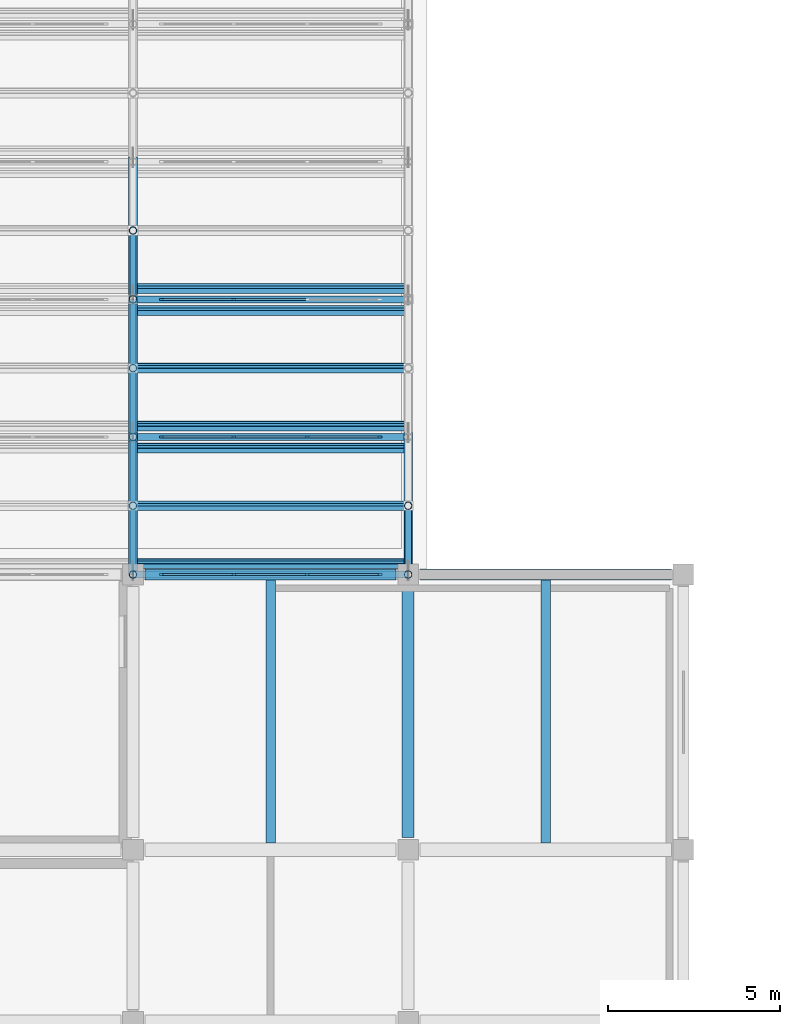
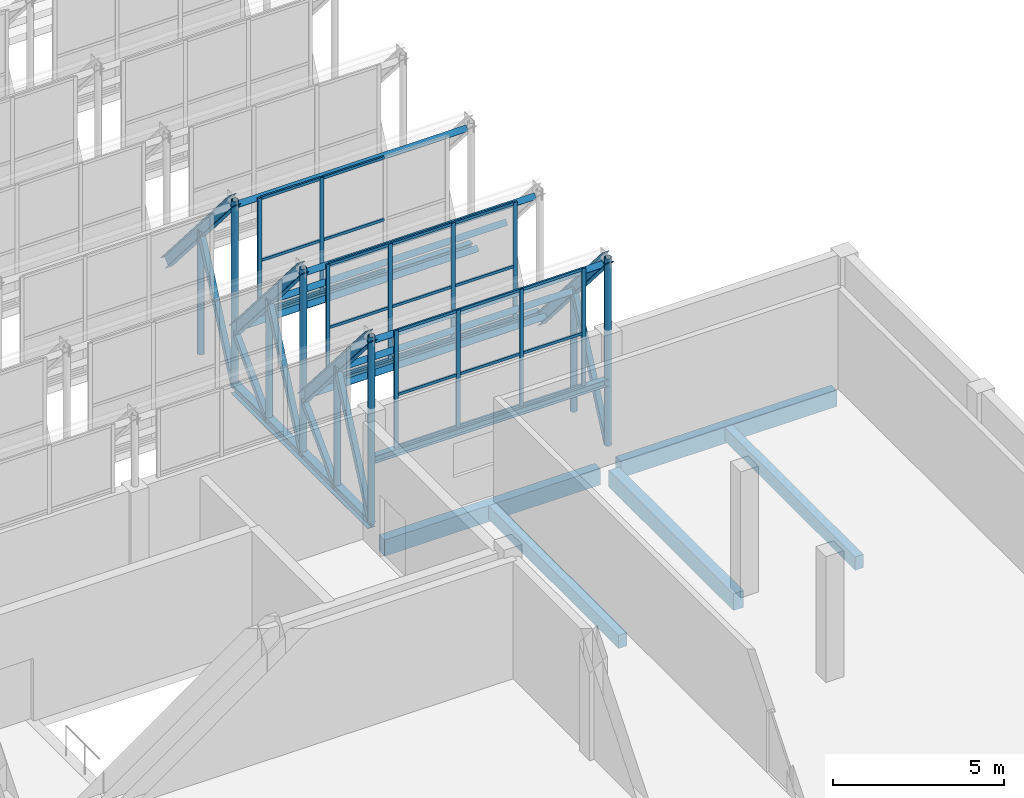
# One storey, part 23 of 43: 59 members, 9 beams, 3 elements without a shape of their own.
"""IFC4 building model written with IfcOpenShell, lengths in metres."""

from ifc_helpers import new_model, si_unit, direction, frame, origin, origin_2d, place, context, subcontext, project, spatial, rectangle, hollow_rectangle, hollow_circle, i_section, extrude, material, layer, layer_set, material_profile, profile_set, type_object, element, aggregate, save


model = new_model("IFC4")

# Units and contexts
model_context = context("Model", 3, precision=1e-05, world=origin(), true_north=direction((0.0, 1.0)))
body_context = subcontext(model_context, "Body", "Model", "MODEL_VIEW")
ifc_project = project(units=[si_unit("LENGTHUNIT", "METRE"), si_unit("AREAUNIT", "SQUARE_METRE"), si_unit("VOLUMEUNIT", "CUBIC_METRE"), si_unit("PLANEANGLEUNIT", "RADIAN"), si_unit("MASSUNIT", "GRAM", prefix="KILO")], contexts=[model_context])

# Site, building, storey
site_placement = place(None, origin())
site = spatial("IfcSite", under=ifc_project, at=site_placement, CompositionType="ELEMENT")
building_placement = place(site_placement, origin())
building = spatial("IfcBuilding", under=site, at=building_placement, Name="Qorikala Patio Media Centre", CompositionType="ELEMENT")
storey_placement = place(building_placement, frame((0.0, 0.0, 18.89990234375)))
storey = spatial("IfcBuildingStorey", under=building, at=storey_placement, Name="L04", CompositionType="ELEMENT", Elevation=18.89990234375)

# Beam
ifc_material_1 = material(Name="Concrete C35/45", Category="concrete")
ifc_material_profile_1 = material_profile(ifc_material_1, rectangle(XDim=0.35009765625, YDim=0.60009765625, at=origin_2d()), Name="RC 350x600")
ifc_profile_set_1 = profile_set([ifc_material_profile_1], Name="Concrete C35/45")
beam_type_1 = type_object("IfcBeamType", Name="BM-G350X600", PredefinedType="BEAM", material=ifc_profile_set_1)
beam_1_placement = place(storey_placement, frame((27.0, 64.35009765625, -0.599853515625), z_axis=(0.0, 1.0, 0.0), x_axis=(-1.0, 0.0, 0.0)))
element("IfcBeam", 1, at=beam_1_placement, inside=storey, type_object=beam_type_1, Name="L04 Grid X=27 Beam 1416", PredefinedType="BEAM", context=body_context, shape_type="SweptSolid", body=[
    extrude(rectangle(XDim=0.35009765625, YDim=0.60009765625, at=origin_2d()), origin(), (0.0, 0.0, 1.0), 7.2998046875),
])

# Members
ifc_material_2 = material(Name="Steel S355", Category="steel")
ifc_material_profile_2 = material_profile(ifc_material_2, hollow_rectangle(XDim=0.179931640625, YDim=0.179931640625, WallThickness=0.008056640625, at=origin_2d()), Name="HSS180X180X8")
ifc_profile_set_2 = profile_set([ifc_material_profile_2], Name="Steel S355")
member_type_1 = type_object("IfcMemberType", Name="BRACE-HSS180", PredefinedType="BRACE", material=ifc_profile_set_2)
member_1_placement = place(storey_placement, frame((19.0, 72.0, 0.35009765625), z_axis=(0.0, 0.415759760268, 0.909474475586), x_axis=(-1.0, 0.0, 0.0)))
element("IfcMember", 2, at=member_1_placement, inside=storey, type_object=member_type_1, Name="SAW-V4 Truss 3 Bay 1 Web Diagonal 1", PredefinedType="BRACE", context=body_context, shape_type="SweptSolid", body=[
    extrude(hollow_rectangle(XDim=0.179931640625, YDim=0.179931640625, WallThickness=0.008056640625, at=origin_2d()), origin(), (0.0, 0.0, 1.0), 4.810546875),
])
member_2_placement = place(storey_placement, frame((19.0, 74.0, 0.35009765625), z_axis=(0.0, 0.698315330267, 0.715790262238), x_axis=(-1.0, 0.0, 0.0)))
element("IfcMember", 3, at=member_2_placement, inside=storey, type_object=member_type_1, Name="SAW-V4 Truss 3 Bay 1 Web Diagonal 2", PredefinedType="BRACE", context=body_context, shape_type="SweptSolid", body=[
    extrude(hollow_rectangle(XDim=0.179931640625, YDim=0.179931640625, WallThickness=0.008056640625, at=origin_2d()), origin(), (0.0, 0.0, 1.0), 2.864013671875),
])
member_3_placement = place(storey_placement, frame((19.0, 76.0, 0.35009765625), z_axis=(0.0, 0.415759760268, 0.909474475586), x_axis=(-1.0, 0.0, 0.0)))
element("IfcMember", 4, at=member_3_placement, inside=storey, type_object=member_type_1, Name="SAW-V4 Truss 3 Bay 2 Web Diagonal 1", PredefinedType="BRACE", context=body_context, shape_type="SweptSolid", body=[
    extrude(hollow_rectangle(XDim=0.179931640625, YDim=0.179931640625, WallThickness=0.008056640625, at=origin_2d()), origin(), (0.0, 0.0, 1.0), 4.810546875),
])
member_4_placement = place(storey_placement, frame((19.0, 78.0, 0.35009765625), z_axis=(0.0, 0.698315330267, 0.715790262238), x_axis=(-1.0, 0.0, 0.0)))
element("IfcMember", 5, at=member_4_placement, inside=storey, type_object=member_type_1, Name="SAW-V4 Truss 3 Bay 2 Web Diagonal 2", PredefinedType="BRACE", context=body_context, shape_type="SweptSolid", body=[
    extrude(hollow_rectangle(XDim=0.179931640625, YDim=0.179931640625, WallThickness=0.008056640625, at=origin_2d()), origin(), (0.0, 0.0, 1.0), 2.864013671875),
])
for number, where, z_axis, x_axis, name in (
    (6, (19.0, 80.0, 0.35009765625), (0.0, 0.415759760268, 0.909474475586), (-1.0, 0.0, 0.0), "SAW-V4 Truss 3 Bay 3 Web Diagonal 1"),
    (7, (27.0, 72.0, 0.35009765625), (0.0, 0.415759760268, 0.909474475586), (-1.0, 0.0, 0.0), "SAW-V4 Truss 4 Bay 1 Web Diagonal 1"),
):
    element("IfcMember", number, at=place(storey_placement, frame(where, z_axis=z_axis, x_axis=x_axis)), inside=storey, type_object=member_type_1, Name=name, PredefinedType="BRACE", context=body_context, shape_type="SweptSolid", body=[
        extrude(hollow_rectangle(XDim=0.179931640625, YDim=0.179931640625, WallThickness=0.008056640625, at=origin_2d()), origin(), (0.0, 0.0, 1.0), 4.810546875),
    ])
ifc_material_profile_3 = material_profile(ifc_material_2, i_section(OverallWidth=0.25390625, OverallDepth=0.35302734375, WebThickness=0.009521484375, FlangeThickness=0.016357421875, at=origin_2d()), Name="W360X91")
ifc_profile_set_3 = profile_set([ifc_material_profile_3], Name="Steel S355")
member_type_2 = type_object("IfcMemberType", Name="CHORD-W360X91", PredefinedType="CHORD", material=ifc_profile_set_3)
for number, where, z_axis, x_axis, name in (
    (8, (19.0, 72.0, 7.050048828125), (0.0, 0.652140853929, -0.758097821285), (-1.0, 0.0, 0.0), "SAW-V4 Truss 3 Bay 1 Sloped Top Chord"),
    (9, (19.0, 76.0, 7.050048828125), (0.0, 0.652140853929, -0.758097821285), (-1.0, 0.0, 0.0), "SAW-V4 Truss 3 Bay 2 Sloped Top Chord"),
    (10, (19.0, 80.0, 7.050048828125), (0.0, 0.652140853929, -0.758097821285), (-1.0, 0.0, 0.0), "SAW-V4 Truss 3 Bay 3 Sloped Top Chord"),
    (11, (27.0, 72.0, 7.050048828125), (0.0, 0.652140853929, -0.758097821285), (-1.0, 0.0, 0.0), "SAW-V4 Truss 4 Bay 1 Sloped Top Chord"),
):
    element("IfcMember", number, at=place(storey_placement, frame(where, z_axis=z_axis, x_axis=x_axis)), inside=storey, type_object=member_type_2, Name=name, PredefinedType="CHORD", context=body_context, shape_type="SweptSolid", body=[
        extrude(i_section(OverallWidth=0.25390625, OverallDepth=0.35302734375, WebThickness=0.009521484375, FlangeThickness=0.016357421875, at=origin_2d()), origin(), (0.0, 0.0, 1.0), 6.133544921875),
    ])

# Curtain wall, members
ifc_material_3 = material(Name="Bronze Anodised Aluminium and Low-E Glass", Category="aluminium")
ifc_layer_1 = layer(ifc_material_3, 0.159912109375)
ifc_layer_set_1 = layer_set([ifc_layer_1], Name="Bronze Anodised Aluminium and Low-E Glass")
curtain_wall_type_1 = type_object("IfcCurtainWallType", Name="CW-SAW-640X420", PredefinedType="USERDEFINED", material=ifc_layer_set_1)
curtain_wall_1_placement = place(storey_placement, origin())
curtain_wall_1 = element("IfcCurtainWall", 12, at=curtain_wall_1_placement, inside=storey, type_object=curtain_wall_type_1, Name="L04 Sawtooth Glazing 144", ObjectType="SAWTOOTH GLAZING", PredefinedType="USERDEFINED")
ifc_material_4 = material(Name="Bronze Anodised Aluminium", Category="aluminium")
ifc_material_profile_4 = material_profile(ifc_material_4, rectangle(XDim=0.06005859375, YDim=0.1298828125, at=origin_2d()), Name="ALU MULLION 60x130")
ifc_profile_set_4 = profile_set([ifc_material_profile_4], Name="Bronze Anodised Aluminium")
member_type_3 = type_object("IfcMemberType", Name="CWM-60X130", PredefinedType="MULLION", material=ifc_profile_set_4)
member_5_placement = place(storey_placement, frame((19.830078125, 72.0, 2.75), z_axis=(0.0, 0.0, 1.0), x_axis=(0.0, 1.0, 0.0)))
member_5 = element("IfcMember", 13, at=member_5_placement, type_object=member_type_3, Name="CWS640420 mullion 1", PredefinedType="MULLION", context=body_context, shape_type="SweptSolid", body=[
    extrude(rectangle(XDim=0.06005859375, YDim=0.1298828125, at=origin_2d()), origin(), (0.0, 0.0, 1.0), 4.2001953125),
])
member_6_placement = place(storey_placement, frame((21.933349609375, 72.0, 2.75), z_axis=(0.0, 0.0, 1.0), x_axis=(0.0, 1.0, 0.0)))
member_6 = element("IfcMember", 14, at=member_6_placement, type_object=member_type_3, Name="CWS640420 mullion 2", PredefinedType="MULLION", context=body_context, shape_type="SweptSolid", body=[
    extrude(rectangle(XDim=0.06005859375, YDim=0.1298828125, at=origin_2d()), origin(), (0.0, 0.0, 1.0), 4.2001953125),
])
member_7_placement = place(storey_placement, frame((24.066650390625, 72.0, 2.75), z_axis=(0.0, 0.0, 1.0), x_axis=(0.0, 1.0, 0.0)))
member_7 = element("IfcMember", 15, at=member_7_placement, type_object=member_type_3, Name="CWS640420 mullion 3", PredefinedType="MULLION", context=body_context, shape_type="SweptSolid", body=[
    extrude(rectangle(XDim=0.06005859375, YDim=0.1298828125, at=origin_2d()), origin(), (0.0, 0.0, 1.0), 4.2001953125),
])
member_8_placement = place(storey_placement, frame((26.169921875, 72.0, 2.75), z_axis=(0.0, 0.0, 1.0), x_axis=(0.0, 1.0, 0.0)))
member_8 = element("IfcMember", 16, at=member_8_placement, type_object=member_type_3, Name="CWS640420 mullion 4", PredefinedType="MULLION", context=body_context, shape_type="SweptSolid", body=[
    extrude(rectangle(XDim=0.06005859375, YDim=0.1298828125, at=origin_2d()), origin(), (0.0, 0.0, 1.0), 4.2001953125),
])

ifc_layer_2 = layer(ifc_material_3, 0.159912109375)
ifc_layer_set_2 = layer_set([ifc_layer_2], Name="Bronze Anodised Aluminium and Low-E Glass")
curtain_wall_type_2 = type_object("IfcCurtainWallType", Name="CW-SAW-640X414", PredefinedType="USERDEFINED", material=ifc_layer_set_2)
curtain_wall_2_placement = place(storey_placement, origin())
curtain_wall_2 = element("IfcCurtainWall", 17, at=curtain_wall_2_placement, inside=storey, type_object=curtain_wall_type_2, Name="L04 Sawtooth Glazing 147", ObjectType="SAWTOOTH GLAZING", PredefinedType="USERDEFINED")
member_9_placement = place(storey_placement, frame((19.830078125, 76.0, 2.75), z_axis=(0.0, 0.0, 1.0), x_axis=(0.0, 1.0, 0.0)))
member_9 = element("IfcMember", 18, at=member_9_placement, type_object=member_type_3, Name="CWS640414 mullion 1", PredefinedType="MULLION", context=body_context, shape_type="SweptSolid", body=[
    extrude(rectangle(XDim=0.06005859375, YDim=0.1298828125, at=origin_2d()), origin(), (0.0, 0.0, 1.0), 4.14013671875),
])
member_10_placement = place(storey_placement, frame((21.933349609375, 76.0, 2.75), z_axis=(0.0, 0.0, 1.0), x_axis=(0.0, 1.0, 0.0)))
member_10 = element("IfcMember", 19, at=member_10_placement, type_object=member_type_3, Name="CWS640414 mullion 2", PredefinedType="MULLION", context=body_context, shape_type="SweptSolid", body=[
    extrude(rectangle(XDim=0.06005859375, YDim=0.1298828125, at=origin_2d()), origin(), (0.0, 0.0, 1.0), 4.14013671875),
])
member_11_placement = place(storey_placement, frame((24.066650390625, 76.0, 2.75), z_axis=(0.0, 0.0, 1.0), x_axis=(0.0, 1.0, 0.0)))
member_11 = element("IfcMember", 20, at=member_11_placement, type_object=member_type_3, Name="CWS640414 mullion 3", PredefinedType="MULLION", context=body_context, shape_type="SweptSolid", body=[
    extrude(rectangle(XDim=0.06005859375, YDim=0.1298828125, at=origin_2d()), origin(), (0.0, 0.0, 1.0), 4.14013671875),
])
member_12_placement = place(storey_placement, frame((26.169921875, 76.0, 2.75), z_axis=(0.0, 0.0, 1.0), x_axis=(0.0, 1.0, 0.0)))
member_12 = element("IfcMember", 21, at=member_12_placement, type_object=member_type_3, Name="CWS640414 mullion 4", PredefinedType="MULLION", context=body_context, shape_type="SweptSolid", body=[
    extrude(rectangle(XDim=0.06005859375, YDim=0.1298828125, at=origin_2d()), origin(), (0.0, 0.0, 1.0), 4.14013671875),
])

ifc_layer_3 = layer(ifc_material_3, 0.159912109375)
ifc_layer_set_3 = layer_set([ifc_layer_3], Name="Bronze Anodised Aluminium and Low-E Glass")
curtain_wall_type_3 = type_object("IfcCurtainWallType", Name="CW-SAW-640X408", PredefinedType="USERDEFINED", material=ifc_layer_set_3)
curtain_wall_3_placement = place(storey_placement, origin())
curtain_wall_3 = element("IfcCurtainWall", 22, at=curtain_wall_3_placement, inside=storey, type_object=curtain_wall_type_3, Name="L04 Sawtooth Glazing 150", ObjectType="SAWTOOTH GLAZING", PredefinedType="USERDEFINED")
member_13_placement = place(storey_placement, frame((19.830078125, 80.0, 2.75), z_axis=(0.0, 0.0, 1.0), x_axis=(0.0, 1.0, 0.0)))
member_13 = element("IfcMember", 23, at=member_13_placement, type_object=member_type_3, Name="CWS640408 mullion 1", PredefinedType="MULLION", context=body_context, shape_type="SweptSolid", body=[
    extrude(rectangle(XDim=0.06005859375, YDim=0.1298828125, at=origin_2d()), origin(), (0.0, 0.0, 1.0), 4.080078125),
])
member_14_placement = place(storey_placement, frame((21.933349609375, 80.0, 2.75), z_axis=(0.0, 0.0, 1.0), x_axis=(0.0, 1.0, 0.0)))
member_14 = element("IfcMember", 24, at=member_14_placement, type_object=member_type_3, Name="CWS640408 mullion 2", PredefinedType="MULLION", context=body_context, shape_type="SweptSolid", body=[
    extrude(rectangle(XDim=0.06005859375, YDim=0.1298828125, at=origin_2d()), origin(), (0.0, 0.0, 1.0), 4.080078125),
])

# Member
ifc_material_profile_5 = material_profile(ifc_material_4, rectangle(XDim=0.06005859375, YDim=0.10009765625, at=origin_2d()), Name="ALU TRANSOM 60x100")
ifc_profile_set_5 = profile_set([ifc_material_profile_5], Name="Bronze Anodised Aluminium")
member_type_4 = type_object("IfcMemberType", Name="CWT-60X100", PredefinedType="USERDEFINED", material=ifc_profile_set_5)
member_15_placement = place(storey_placement, frame((19.860107421875, 72.0, 2.780029296875), z_axis=(1.0, 0.0, 0.0), x_axis=(0.0, 1.0, 0.0)))
member_15 = element("IfcMember", 25, at=member_15_placement, type_object=member_type_4, Name="CWS640420 transom 1.1", ObjectType="TRANSOM", PredefinedType="USERDEFINED", context=body_context, shape_type="SweptSolid", body=[
    extrude(rectangle(XDim=0.06005859375, YDim=0.10009765625, at=origin_2d()), origin(), (0.0, 0.0, 1.0), 2.043212890625),
])

member_16_placement = place(storey_placement, frame((19.860107421875, 72.0, 4.64013671875), z_axis=(1.0, 0.0, 0.0), x_axis=(0.0, 1.0, 0.0)))
member_16 = element("IfcMember", 26, at=member_16_placement, type_object=member_type_4, Name="CWS640420 transom 1.2", ObjectType="TRANSOM", PredefinedType="USERDEFINED", context=body_context, shape_type="SweptSolid", body=[
    extrude(rectangle(XDim=0.06005859375, YDim=0.10009765625, at=origin_2d()), origin(), (0.0, 0.0, 1.0), 2.043212890625),
])

member_17_placement = place(storey_placement, frame((19.860107421875, 72.0, 6.920166015625), z_axis=(1.0, 0.0, 0.0), x_axis=(0.0, 1.0, 0.0)))
member_17 = element("IfcMember", 27, at=member_17_placement, type_object=member_type_4, Name="CWS640420 transom 1.3", ObjectType="TRANSOM", PredefinedType="USERDEFINED", context=body_context, shape_type="SweptSolid", body=[
    extrude(rectangle(XDim=0.06005859375, YDim=0.10009765625, at=origin_2d()), origin(), (0.0, 0.0, 1.0), 2.043212890625),
])

member_18_placement = place(storey_placement, frame((21.96337890625, 72.0, 2.780029296875), z_axis=(1.0, 0.0, 0.0), x_axis=(0.0, 1.0, 0.0)))
member_18 = element("IfcMember", 28, at=member_18_placement, type_object=member_type_4, Name="CWS640420 transom 2.1", ObjectType="TRANSOM", PredefinedType="USERDEFINED", context=body_context, shape_type="SweptSolid", body=[
    extrude(rectangle(XDim=0.06005859375, YDim=0.10009765625, at=origin_2d()), origin(), (0.0, 0.0, 1.0), 2.0732421875),
])

member_19_placement = place(storey_placement, frame((21.96337890625, 72.0, 4.64013671875), z_axis=(1.0, 0.0, 0.0), x_axis=(0.0, 1.0, 0.0)))
member_19 = element("IfcMember", 29, at=member_19_placement, type_object=member_type_4, Name="CWS640420 transom 2.2", ObjectType="TRANSOM", PredefinedType="USERDEFINED", context=body_context, shape_type="SweptSolid", body=[
    extrude(rectangle(XDim=0.06005859375, YDim=0.10009765625, at=origin_2d()), origin(), (0.0, 0.0, 1.0), 2.0732421875),
])

member_20_placement = place(storey_placement, frame((21.96337890625, 72.0, 6.920166015625), z_axis=(1.0, 0.0, 0.0), x_axis=(0.0, 1.0, 0.0)))
member_20 = element("IfcMember", 30, at=member_20_placement, type_object=member_type_4, Name="CWS640420 transom 2.3", ObjectType="TRANSOM", PredefinedType="USERDEFINED", context=body_context, shape_type="SweptSolid", body=[
    extrude(rectangle(XDim=0.06005859375, YDim=0.10009765625, at=origin_2d()), origin(), (0.0, 0.0, 1.0), 2.0732421875),
])

member_21_placement = place(storey_placement, frame((24.0966796875, 72.0, 2.780029296875), z_axis=(1.0, 0.0, 0.0), x_axis=(0.0, 1.0, 0.0)))
member_21 = element("IfcMember", 31, at=member_21_placement, type_object=member_type_4, Name="CWS640420 transom 3.1", ObjectType="TRANSOM", PredefinedType="USERDEFINED", context=body_context, shape_type="SweptSolid", body=[
    extrude(rectangle(XDim=0.06005859375, YDim=0.10009765625, at=origin_2d()), origin(), (0.0, 0.0, 1.0), 2.043212890625),
])

member_22_placement = place(storey_placement, frame((24.0966796875, 72.0, 4.64013671875), z_axis=(1.0, 0.0, 0.0), x_axis=(0.0, 1.0, 0.0)))
member_22 = element("IfcMember", 32, at=member_22_placement, type_object=member_type_4, Name="CWS640420 transom 3.2", ObjectType="TRANSOM", PredefinedType="USERDEFINED", context=body_context, shape_type="SweptSolid", body=[
    extrude(rectangle(XDim=0.06005859375, YDim=0.10009765625, at=origin_2d()), origin(), (0.0, 0.0, 1.0), 2.043212890625),
])

member_23_placement = place(storey_placement, frame((24.0966796875, 72.0, 6.920166015625), z_axis=(1.0, 0.0, 0.0), x_axis=(0.0, 1.0, 0.0)))
member_23 = element("IfcMember", 33, at=member_23_placement, type_object=member_type_4, Name="CWS640420 transom 3.3", ObjectType="TRANSOM", PredefinedType="USERDEFINED", context=body_context, shape_type="SweptSolid", body=[
    extrude(rectangle(XDim=0.06005859375, YDim=0.10009765625, at=origin_2d()), origin(), (0.0, 0.0, 1.0), 2.043212890625),
])

aggregate(curtain_wall_1, [member_5, member_6, member_7, member_8, member_15, member_16, member_17, member_18, member_19, member_20, member_21, member_22, member_23])

member_24_placement = place(storey_placement, frame((19.860107421875, 76.0, 2.780029296875), z_axis=(1.0, 0.0, 0.0), x_axis=(0.0, 1.0, 0.0)))
member_24 = element("IfcMember", 34, at=member_24_placement, type_object=member_type_4, Name="CWS640414 transom 1.1", ObjectType="TRANSOM", PredefinedType="USERDEFINED", context=body_context, shape_type="SweptSolid", body=[
    extrude(rectangle(XDim=0.06005859375, YDim=0.10009765625, at=origin_2d()), origin(), (0.0, 0.0, 1.0), 2.043212890625),
])

member_25_placement = place(storey_placement, frame((19.860107421875, 76.0, 4.613037109375), z_axis=(1.0, 0.0, 0.0), x_axis=(0.0, 1.0, 0.0)))
member_25 = element("IfcMember", 35, at=member_25_placement, type_object=member_type_4, Name="CWS640414 transom 1.2", ObjectType="TRANSOM", PredefinedType="USERDEFINED", context=body_context, shape_type="SweptSolid", body=[
    extrude(rectangle(XDim=0.06005859375, YDim=0.10009765625, at=origin_2d()), origin(), (0.0, 0.0, 1.0), 2.043212890625),
])

member_26_placement = place(storey_placement, frame((19.860107421875, 76.0, 6.860107421875), z_axis=(1.0, 0.0, 0.0), x_axis=(0.0, 1.0, 0.0)))
member_26 = element("IfcMember", 36, at=member_26_placement, type_object=member_type_4, Name="CWS640414 transom 1.3", ObjectType="TRANSOM", PredefinedType="USERDEFINED", context=body_context, shape_type="SweptSolid", body=[
    extrude(rectangle(XDim=0.06005859375, YDim=0.10009765625, at=origin_2d()), origin(), (0.0, 0.0, 1.0), 2.043212890625),
])

member_27_placement = place(storey_placement, frame((21.96337890625, 76.0, 2.780029296875), z_axis=(1.0, 0.0, 0.0), x_axis=(0.0, 1.0, 0.0)))
member_27 = element("IfcMember", 37, at=member_27_placement, type_object=member_type_4, Name="CWS640414 transom 2.1", ObjectType="TRANSOM", PredefinedType="USERDEFINED", context=body_context, shape_type="SweptSolid", body=[
    extrude(rectangle(XDim=0.06005859375, YDim=0.10009765625, at=origin_2d()), origin(), (0.0, 0.0, 1.0), 2.0732421875),
])

member_28_placement = place(storey_placement, frame((21.96337890625, 76.0, 4.613037109375), z_axis=(1.0, 0.0, 0.0), x_axis=(0.0, 1.0, 0.0)))
member_28 = element("IfcMember", 38, at=member_28_placement, type_object=member_type_4, Name="CWS640414 transom 2.2", ObjectType="TRANSOM", PredefinedType="USERDEFINED", context=body_context, shape_type="SweptSolid", body=[
    extrude(rectangle(XDim=0.06005859375, YDim=0.10009765625, at=origin_2d()), origin(), (0.0, 0.0, 1.0), 2.0732421875),
])

member_29_placement = place(storey_placement, frame((21.96337890625, 76.0, 6.860107421875), z_axis=(1.0, 0.0, 0.0), x_axis=(0.0, 1.0, 0.0)))
member_29 = element("IfcMember", 39, at=member_29_placement, type_object=member_type_4, Name="CWS640414 transom 2.3", ObjectType="TRANSOM", PredefinedType="USERDEFINED", context=body_context, shape_type="SweptSolid", body=[
    extrude(rectangle(XDim=0.06005859375, YDim=0.10009765625, at=origin_2d()), origin(), (0.0, 0.0, 1.0), 2.0732421875),
])

member_30_placement = place(storey_placement, frame((24.0966796875, 76.0, 2.780029296875), z_axis=(1.0, 0.0, 0.0), x_axis=(0.0, 1.0, 0.0)))
member_30 = element("IfcMember", 40, at=member_30_placement, type_object=member_type_4, Name="CWS640414 transom 3.1", ObjectType="TRANSOM", PredefinedType="USERDEFINED", context=body_context, shape_type="SweptSolid", body=[
    extrude(rectangle(XDim=0.06005859375, YDim=0.10009765625, at=origin_2d()), origin(), (0.0, 0.0, 1.0), 2.043212890625),
])

member_31_placement = place(storey_placement, frame((24.0966796875, 76.0, 4.613037109375), z_axis=(1.0, 0.0, 0.0), x_axis=(0.0, 1.0, 0.0)))
member_31 = element("IfcMember", 41, at=member_31_placement, type_object=member_type_4, Name="CWS640414 transom 3.2", ObjectType="TRANSOM", PredefinedType="USERDEFINED", context=body_context, shape_type="SweptSolid", body=[
    extrude(rectangle(XDim=0.06005859375, YDim=0.10009765625, at=origin_2d()), origin(), (0.0, 0.0, 1.0), 2.043212890625),
])

member_32_placement = place(storey_placement, frame((24.0966796875, 76.0, 6.860107421875), z_axis=(1.0, 0.0, 0.0), x_axis=(0.0, 1.0, 0.0)))
member_32 = element("IfcMember", 42, at=member_32_placement, type_object=member_type_4, Name="CWS640414 transom 3.3", ObjectType="TRANSOM", PredefinedType="USERDEFINED", context=body_context, shape_type="SweptSolid", body=[
    extrude(rectangle(XDim=0.06005859375, YDim=0.10009765625, at=origin_2d()), origin(), (0.0, 0.0, 1.0), 2.043212890625),
])

aggregate(curtain_wall_2, [member_9, member_10, member_11, member_12, member_24, member_25, member_26, member_27, member_28, member_29, member_30, member_31, member_32])

member_33_placement = place(storey_placement, frame((19.860107421875, 80.0, 2.780029296875), z_axis=(1.0, 0.0, 0.0), x_axis=(0.0, 1.0, 0.0)))
member_33 = element("IfcMember", 43, at=member_33_placement, type_object=member_type_4, Name="CWS640408 transom 1.1", ObjectType="TRANSOM", PredefinedType="USERDEFINED", context=body_context, shape_type="SweptSolid", body=[
    extrude(rectangle(XDim=0.06005859375, YDim=0.10009765625, at=origin_2d()), origin(), (0.0, 0.0, 1.0), 2.043212890625),
])

member_34_placement = place(storey_placement, frame((19.860107421875, 80.0, 4.586181640625), z_axis=(1.0, 0.0, 0.0), x_axis=(0.0, 1.0, 0.0)))
member_34 = element("IfcMember", 44, at=member_34_placement, type_object=member_type_4, Name="CWS640408 transom 1.2", ObjectType="TRANSOM", PredefinedType="USERDEFINED", context=body_context, shape_type="SweptSolid", body=[
    extrude(rectangle(XDim=0.06005859375, YDim=0.10009765625, at=origin_2d()), origin(), (0.0, 0.0, 1.0), 2.043212890625),
])

member_35_placement = place(storey_placement, frame((19.860107421875, 80.0, 6.800048828125), z_axis=(1.0, 0.0, 0.0), x_axis=(0.0, 1.0, 0.0)))
member_35 = element("IfcMember", 45, at=member_35_placement, type_object=member_type_4, Name="CWS640408 transom 1.3", ObjectType="TRANSOM", PredefinedType="USERDEFINED", context=body_context, shape_type="SweptSolid", body=[
    extrude(rectangle(XDim=0.06005859375, YDim=0.10009765625, at=origin_2d()), origin(), (0.0, 0.0, 1.0), 2.043212890625),
])

member_36_placement = place(storey_placement, frame((21.96337890625, 80.0, 2.780029296875), z_axis=(1.0, 0.0, 0.0), x_axis=(0.0, 1.0, 0.0)))
member_36 = element("IfcMember", 46, at=member_36_placement, type_object=member_type_4, Name="CWS640408 transom 2.1", ObjectType="TRANSOM", PredefinedType="USERDEFINED", context=body_context, shape_type="SweptSolid", body=[
    extrude(rectangle(XDim=0.06005859375, YDim=0.10009765625, at=origin_2d()), origin(), (0.0, 0.0, 1.0), 2.0732421875),
])

member_37_placement = place(storey_placement, frame((21.96337890625, 80.0, 4.586181640625), z_axis=(1.0, 0.0, 0.0), x_axis=(0.0, 1.0, 0.0)))
member_37 = element("IfcMember", 47, at=member_37_placement, type_object=member_type_4, Name="CWS640408 transom 2.2", ObjectType="TRANSOM", PredefinedType="USERDEFINED", context=body_context, shape_type="SweptSolid", body=[
    extrude(rectangle(XDim=0.06005859375, YDim=0.10009765625, at=origin_2d()), origin(), (0.0, 0.0, 1.0), 2.0732421875),
])

member_38_placement = place(storey_placement, frame((21.96337890625, 80.0, 6.800048828125), z_axis=(1.0, 0.0, 0.0), x_axis=(0.0, 1.0, 0.0)))
member_38 = element("IfcMember", 48, at=member_38_placement, type_object=member_type_4, Name="CWS640408 transom 2.3", ObjectType="TRANSOM", PredefinedType="USERDEFINED", context=body_context, shape_type="SweptSolid", body=[
    extrude(rectangle(XDim=0.06005859375, YDim=0.10009765625, at=origin_2d()), origin(), (0.0, 0.0, 1.0), 2.0732421875),
])

aggregate(curtain_wall_3, [member_13, member_14, member_33, member_34, member_35, member_36, member_37, member_38])

# Beams
ifc_material_profile_6 = material_profile(ifc_material_1, rectangle(XDim=0.280029296875, YDim=0.47998046875, at=origin_2d()), Name="RC 280x480")
ifc_profile_set_6 = profile_set([ifc_material_profile_6], Name="Concrete C35/45")
beam_type_2 = type_object("IfcBeamType", Name="JS-280X480", PredefinedType="JOIST", material=ifc_profile_set_6)
for number, where, z_axis, x_axis, name in (
    (49, (23.0, 64.199951171875, -0.539794921875), (0.0, 1.0, 0.0), (-1.0, 0.0, 0.0), "L04 Secondary Joist 1462"),
    (50, (31.0, 64.199951171875, -0.539794921875), (0.0, 1.0, 0.0), (-1.0, 0.0, 0.0), "L04 Secondary Joist 1468"),
):
    element("IfcBeam", number, at=place(storey_placement, frame(where, z_axis=z_axis, x_axis=x_axis)), inside=storey, type_object=beam_type_2, Name=name, PredefinedType="JOIST", context=body_context, shape_type="SweptSolid", body=[
        extrude(rectangle(XDim=0.280029296875, YDim=0.47998046875, at=origin_2d()), origin(), (0.0, 0.0, 1.0), 7.64013671875),
    ])

# Members
ifc_material_profile_7 = material_profile(ifc_material_2, i_section(OverallWidth=0.202880859375, OverallDepth=0.202880859375, WebThickness=0.007080078125, FlangeThickness=0.010986328125, at=origin_2d()), Name="W200X46")
ifc_profile_set_7 = profile_set([ifc_material_profile_7], Name="Steel S355")
member_type_5 = type_object("IfcMemberType", Name="PURLIN-W200X46", PredefinedType="PURLIN", material=ifc_profile_set_7)
for number, where, z_axis, x_axis, name in (
    (51, (19.0, 72.320068359375, 6.596435546875), (1.0, 0.0, 0.0), (0.0, 0.652138098758, 0.758100191366), "SAW-V4 Bay 1 Roof Purlin"),
    (52, (19.0, 74.0, 4.643310546875), (1.0, 0.0, 0.0), (0.0, 0.652138098758, 0.758100191366), "SAW-V4 Bay 1 Roof Purlin"),
    (53, (19.0, 75.679931640625, 2.6904296875), (1.0, 0.0, 0.0), (0.0, 0.652138098758, 0.758100191366), "SAW-V4 Bay 1 Roof Purlin"),
    (54, (19.0, 76.320068359375, 6.596435546875), (1.0, 0.0, 0.0), (0.0, 0.652138098758, 0.758100191366), "SAW-V4 Bay 2 Roof Purlin"),
    (55, (19.0, 78.0, 4.643310546875), (1.0, 0.0, 0.0), (0.0, 0.652138098758, 0.758100191366), "SAW-V4 Bay 2 Roof Purlin"),
    (56, (19.0, 79.679931640625, 2.6904296875), (1.0, 0.0, 0.0), (0.0, 0.652138098758, 0.758100191366), "SAW-V4 Bay 2 Roof Purlin"),
    (57, (19.0, 80.320068359375, 6.596435546875), (1.0, 0.0, 0.0), (0.0, 0.652138098758, 0.758100191366), "SAW-V4 Bay 3 Roof Purlin"),
):
    element("IfcMember", number, at=place(storey_placement, frame(where, z_axis=z_axis, x_axis=x_axis)), inside=storey, type_object=member_type_5, Name=name, PredefinedType="PURLIN", context=body_context, shape_type="SweptSolid", body=[
        extrude(i_section(OverallWidth=0.202880859375, OverallDepth=0.202880859375, WebThickness=0.007080078125, FlangeThickness=0.010986328125, at=origin_2d()), origin(), (0.0, 0.0, 1.0), 8.0),
    ])

# Beams
ifc_material_profile_8 = material_profile(ifc_material_2, i_section(OverallWidth=0.202880859375, OverallDepth=0.251953125, WebThickness=0.008056640625, FlangeThickness=0.013427734375, at=origin_2d()), Name="W250X58")
ifc_profile_set_8 = profile_set([ifc_material_profile_8], Name="Steel S355")
beam_type_3 = type_object("IfcBeamType", Name="SBM-W250X58", PredefinedType="BEAM", material=ifc_profile_set_8)
for number, where, z_axis, x_axis, name in (
    (58, (19.0, 72.0, 2.625), (1.0, 0.0, 0.0), (0.0, 1.0, 0.0), "Sawtooth V4 Clerestory Sill Beam 1.3"),
    (59, (19.0, 76.0, 2.625), (1.0, 0.0, 0.0), (0.0, 1.0, 0.0), "Sawtooth V4 Clerestory Sill Beam 2.3"),
    (60, (19.0, 80.0, 2.625), (1.0, 0.0, 0.0), (0.0, 1.0, 0.0), "Sawtooth V4 Clerestory Sill Beam 3.3"),
):
    element("IfcBeam", number, at=place(storey_placement, frame(where, z_axis=z_axis, x_axis=x_axis)), inside=storey, type_object=beam_type_3, Name=name, PredefinedType="BEAM", context=body_context, shape_type="SweptSolid", body=[
        extrude(i_section(OverallWidth=0.202880859375, OverallDepth=0.251953125, WebThickness=0.008056640625, FlangeThickness=0.013427734375, at=origin_2d()), origin(), (0.0, 0.0, 1.0), 8.0),
    ])
ifc_material_profile_9 = material_profile(ifc_material_2, i_section(OverallWidth=0.257080078125, OverallDepth=0.363037109375, WebThickness=0.012939453125, FlangeThickness=0.021728515625, at=origin_2d()), Name="W360X122")
ifc_profile_set_9 = profile_set([ifc_material_profile_9], Name="Steel S355")
beam_type_4 = type_object("IfcBeamType", Name="SBM-W360X122", PredefinedType="BEAM", material=ifc_profile_set_9)
beam_2_placement = place(storey_placement, frame((19.0, 72.0, 0.35009765625), z_axis=(0.0, 1.0, 0.0), x_axis=(-1.0, 0.0, 0.0)))
element("IfcBeam", 61, at=beam_2_placement, inside=storey, type_object=beam_type_4, Name="SAW-V4 Longitudinal Truss Tie Girder X=19", PredefinedType="BEAM", context=body_context, shape_type="SweptSolid", body=[
    extrude(i_section(OverallWidth=0.257080078125, OverallDepth=0.363037109375, WebThickness=0.012939453125, FlangeThickness=0.021728515625, at=origin_2d()), origin(), (0.0, 0.0, 1.0), 8.0),
])
ifc_material_profile_10 = material_profile(ifc_material_1, rectangle(XDim=0.320068359375, YDim=0.580078125, at=origin_2d()), Name="RC 320x580")
ifc_profile_set_10 = profile_set([ifc_material_profile_10], Name="Concrete C35/45")
beam_type_5 = type_object("IfcBeamType", Name="SP-320X580", PredefinedType="SPANDREL", material=ifc_profile_set_10)
for number, where, z_axis, x_axis, name in (
    (62, (19.35009765625, 72.0, -0.58984375), (1.0, 0.0, 0.0), (0.0, 1.0, 0.0), "L04 Grid 72 Beam 1383"),
    (63, (27.35009765625, 72.0, -0.58984375), (1.0, 0.0, 0.0), (0.0, 1.0, 0.0), "L04 Grid 72 Beam 1384"),
):
    element("IfcBeam", number, at=place(storey_placement, frame(where, z_axis=z_axis, x_axis=x_axis)), inside=storey, type_object=beam_type_5, Name=name, PredefinedType="SPANDREL", context=body_context, shape_type="SweptSolid", body=[
        extrude(rectangle(XDim=0.320068359375, YDim=0.580078125, at=origin_2d()), origin(), (0.0, 0.0, 1.0), 7.2998046875),
    ])

# Members
ifc_material_profile_11 = material_profile(ifc_material_2, hollow_circle(Radius=0.109619140625, WallThickness=0.008056640625, at=origin_2d()), Name="CHS219X8")
ifc_profile_set_11 = profile_set([ifc_material_profile_11], Name="Steel S355")
member_type_6 = type_object("IfcMemberType", Name="STRUT-CHS219", PredefinedType="STRUT", material=ifc_profile_set_11)
member_39_placement = place(storey_placement, frame((19.0, 72.0, 0.35009765625), z_axis=(0.0, 0.0, 1.0), x_axis=(1.0, 0.0, 0.0)))
element("IfcMember", 64, at=member_39_placement, inside=storey, type_object=member_type_6, Name="SAW-V4 Truss 3 Bay 1 Clerestory Post", PredefinedType="STRUT", context=body_context, shape_type="SweptSolid", body=[
    extrude(hollow_circle(Radius=0.109619140625, WallThickness=0.008056640625, at=origin_2d()), origin(), (0.0, 0.0, 1.0), 6.699951171875),
])
member_40_placement = place(storey_placement, frame((19.0, 74.0, 0.35009765625), z_axis=(0.0, 0.0, 1.0), x_axis=(1.0, 0.0, 0.0)))
element("IfcMember", 65, at=member_40_placement, inside=storey, type_object=member_type_6, Name="SAW-V4 Truss 3 Bay 1 Mid Strut", PredefinedType="STRUT", context=body_context, shape_type="SweptSolid", body=[
    extrude(hollow_circle(Radius=0.109619140625, WallThickness=0.008056640625, at=origin_2d()), origin(), (0.0, 0.0, 1.0), 4.375),
])
member_41_placement = place(storey_placement, frame((19.0, 76.0, 0.35009765625), z_axis=(0.0, 0.0, 1.0), x_axis=(1.0, 0.0, 0.0)))
element("IfcMember", 66, at=member_41_placement, inside=storey, type_object=member_type_6, Name="SAW-V4 Truss 3 Bay 2 Clerestory Post", PredefinedType="STRUT", context=body_context, shape_type="SweptSolid", body=[
    extrude(hollow_circle(Radius=0.109619140625, WallThickness=0.008056640625, at=origin_2d()), origin(), (0.0, 0.0, 1.0), 6.699951171875),
])
member_42_placement = place(storey_placement, frame((19.0, 78.0, 0.35009765625), z_axis=(0.0, 0.0, 1.0), x_axis=(1.0, 0.0, 0.0)))
element("IfcMember", 67, at=member_42_placement, inside=storey, type_object=member_type_6, Name="SAW-V4 Truss 3 Bay 2 Mid Strut", PredefinedType="STRUT", context=body_context, shape_type="SweptSolid", body=[
    extrude(hollow_circle(Radius=0.109619140625, WallThickness=0.008056640625, at=origin_2d()), origin(), (0.0, 0.0, 1.0), 4.375),
])
member_43_placement = place(storey_placement, frame((19.0, 80.0, 0.35009765625), z_axis=(0.0, 0.0, 1.0), x_axis=(1.0, 0.0, 0.0)))
element("IfcMember", 68, at=member_43_placement, inside=storey, type_object=member_type_6, Name="SAW-V4 Truss 3 Bay 3 Clerestory Post", PredefinedType="STRUT", context=body_context, shape_type="SweptSolid", body=[
    extrude(hollow_circle(Radius=0.109619140625, WallThickness=0.008056640625, at=origin_2d()), origin(), (0.0, 0.0, 1.0), 6.699951171875),
])
member_44_placement = place(storey_placement, frame((19.0, 82.0, 0.35009765625), z_axis=(0.0, 0.0, 1.0), x_axis=(1.0, 0.0, 0.0)))
element("IfcMember", 69, at=member_44_placement, inside=storey, type_object=member_type_6, Name="SAW-V4 Truss 3 Bay 3 Mid Strut", PredefinedType="STRUT", context=body_context, shape_type="SweptSolid", body=[
    extrude(hollow_circle(Radius=0.109619140625, WallThickness=0.008056640625, at=origin_2d()), origin(), (0.0, 0.0, 1.0), 4.375),
])
member_45_placement = place(storey_placement, frame((27.0, 72.0, 0.35009765625), z_axis=(0.0, 0.0, 1.0), x_axis=(1.0, 0.0, 0.0)))
element("IfcMember", 70, at=member_45_placement, inside=storey, type_object=member_type_6, Name="SAW-V4 Truss 4 Bay 1 Clerestory Post", PredefinedType="STRUT", context=body_context, shape_type="SweptSolid", body=[
    extrude(hollow_circle(Radius=0.109619140625, WallThickness=0.008056640625, at=origin_2d()), origin(), (0.0, 0.0, 1.0), 6.699951171875),
])
member_46_placement = place(storey_placement, frame((27.0, 74.0, 0.35009765625), z_axis=(0.0, 0.0, 1.0), x_axis=(1.0, 0.0, 0.0)))
element("IfcMember", 71, at=member_46_placement, inside=storey, type_object=member_type_6, Name="SAW-V4 Truss 4 Bay 1 Mid Strut", PredefinedType="STRUT", context=body_context, shape_type="SweptSolid", body=[
    extrude(hollow_circle(Radius=0.109619140625, WallThickness=0.008056640625, at=origin_2d()), origin(), (0.0, 0.0, 1.0), 4.375),
])

save(model, "model.ifc")
